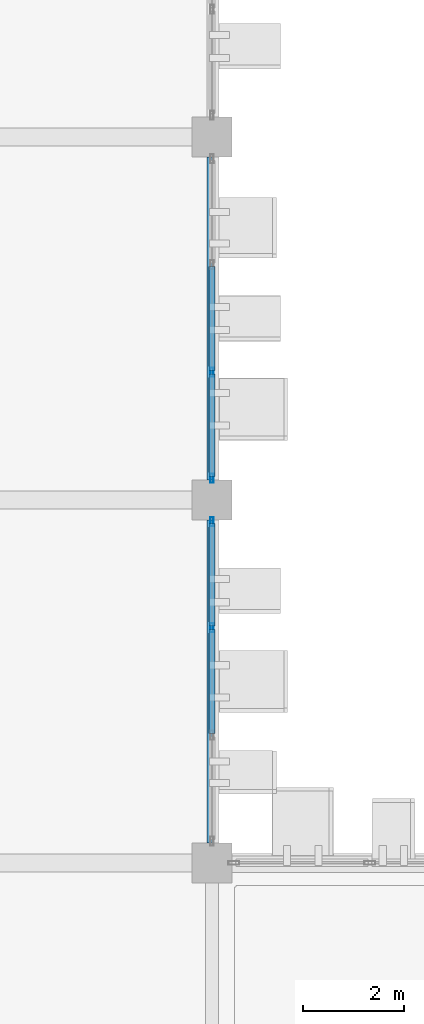
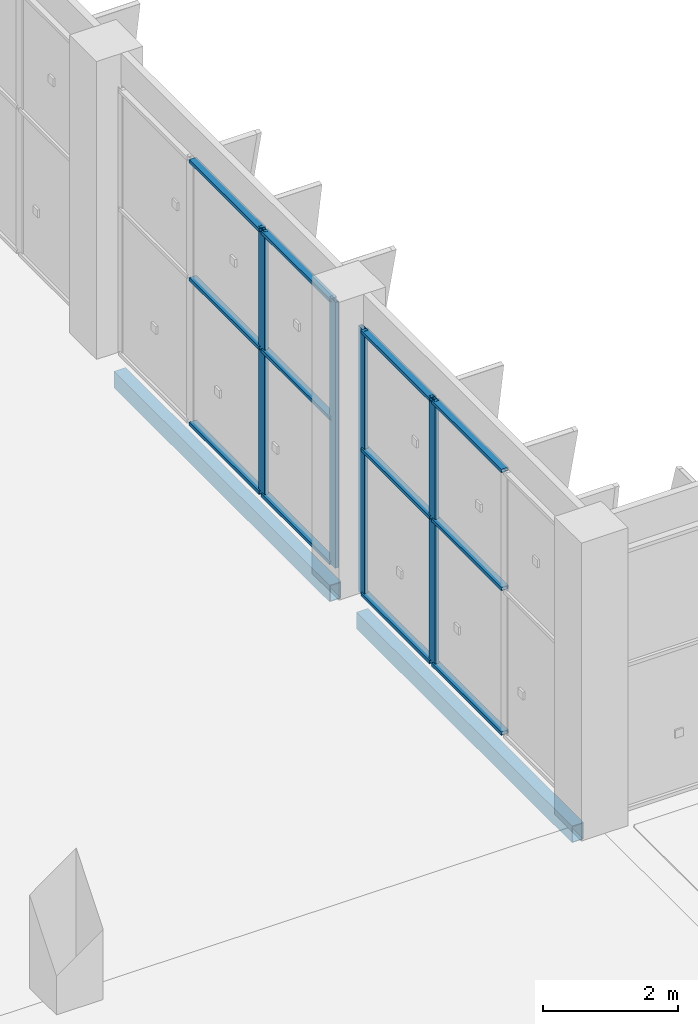
# One storey, part 39 of 137: 16 members, 2 beams, 2 elements without a shape of their own.
"""IFC4 building model written with IfcOpenShell, lengths in metres."""

from ifc_helpers import new_model, si_unit, direction, frame, origin, origin_2d, place, context, subcontext, project, spatial, hollow_rectangle, extrude, material, layer, layer_set, material_profile, profile_set, type_object, element, aggregate, save


model = new_model("IFC4")

# Units and contexts
model_context = context("Model", 3, precision=1e-05, world=origin(), true_north=direction((0.0, 1.0)))
body_context = subcontext(model_context, "Body", "Model", "MODEL_VIEW")
ifc_project = project(units=[si_unit("LENGTHUNIT", "METRE"), si_unit("AREAUNIT", "SQUARE_METRE"), si_unit("VOLUMEUNIT", "CUBIC_METRE"), si_unit("PLANEANGLEUNIT", "RADIAN"), si_unit("MASSUNIT", "GRAM", prefix="KILO")], contexts=[model_context])

# Site, building, storey
site_placement = place(None, origin())
site = spatial("IfcSite", under=ifc_project, at=site_placement, CompositionType="ELEMENT")
building_placement = place(site_placement, origin())
building = spatial("IfcBuilding", under=site, at=building_placement, Name="Celestram Park Convention Centre", CompositionType="ELEMENT")
storey_placement = place(building_placement, origin())
storey = spatial("IfcBuildingStorey", under=building, at=storey_placement, Name="L00", CompositionType="ELEMENT", Elevation=0.0)

# Curtain wall, members
ifc_material_1 = material(Name="Anodised Aluminium Alloy 6063-T6", Category="aluminium")
ifc_layer = layer(ifc_material_1, 0.179931640625)
ifc_layer_set = layer_set([ifc_layer], Name="Anodised Aluminium Alloy 6063-T6")
curtain_wall_type = type_object("IfcCurtainWallType", Name="ARC-CW-640X482", PredefinedType="NOTDEFINED", material=ifc_layer_set)
curtain_wall_1_placement = place(storey_placement, origin())
curtain_wall_1 = element("IfcCurtainWall", 1, at=curtain_wall_1_placement, inside=storey, type_object=curtain_wall_type, Name="Unitised curtain wall CU-L00-016", PredefinedType="NOTDEFINED")
ifc_material_profile_1 = material_profile(ifc_material_1, hollow_rectangle(XDim=0.06494140625, YDim=0.179931640625, WallThickness=0.00390625, at=origin_2d()), Name="ALU65X180X4")
ifc_profile_set_1 = profile_set([ifc_material_profile_1], Name="Anodised Aluminium Alloy 6063-T6")
member_type_1 = type_object("IfcMemberType", Name="ARC-CWM-150", PredefinedType="MULLION", material=ifc_profile_set_1)
member_1_placement = place(storey_placement, frame((144.0, 45.732666015625, 0.0), z_axis=(0.0, 0.0, 1.0), x_axis=(1.0, 0.0, 0.0)))
member_1 = element("IfcMember", 2, at=member_1_placement, type_object=member_type_1, Name="CW-64X48 mullion 3", PredefinedType="MULLION", context=body_context, shape_type="SweptSolid", body=[
    extrude(hollow_rectangle(XDim=0.06494140625, YDim=0.179931640625, WallThickness=0.00390625, at=origin_2d()), origin(), (0.0, 0.0, 1.0), 4.820068359375),
])
member_2_placement = place(storey_placement, frame((144.0, 43.630615234375, 0.0), z_axis=(0.0, 0.0, 1.0), x_axis=(1.0, 0.0, 0.0)))
member_2 = element("IfcMember", 3, at=member_2_placement, type_object=member_type_1, Name="CW-64X48 mullion 4", PredefinedType="MULLION", context=body_context, shape_type="SweptSolid", body=[
    extrude(hollow_rectangle(XDim=0.06494140625, YDim=0.179931640625, WallThickness=0.00390625, at=origin_2d()), origin(), (0.0, 0.0, 1.0), 4.820068359375),
])

curtain_wall_2_placement = place(storey_placement, origin())
curtain_wall_2 = element("IfcCurtainWall", 4, at=curtain_wall_2_placement, inside=storey, type_object=curtain_wall_type, Name="Unitised curtain wall CU-L00-017", PredefinedType="NOTDEFINED")
member_3_placement = place(storey_placement, frame((144.0, 42.76953125, 0.0), z_axis=(0.0, 0.0, 1.0), x_axis=(1.0, 0.0, 0.0)))
member_3 = element("IfcMember", 5, at=member_3_placement, type_object=member_type_1, Name="CW-64X48 mullion 1", PredefinedType="MULLION", context=body_context, shape_type="SweptSolid", body=[
    extrude(hollow_rectangle(XDim=0.06494140625, YDim=0.179931640625, WallThickness=0.00390625, at=origin_2d()), origin(), (0.0, 0.0, 1.0), 4.820068359375),
])
member_4_placement = place(storey_placement, frame((144.0, 40.667236328125, 0.0), z_axis=(0.0, 0.0, 1.0), x_axis=(1.0, 0.0, 0.0)))
member_4 = element("IfcMember", 6, at=member_4_placement, type_object=member_type_1, Name="CW-64X48 mullion 2", PredefinedType="MULLION", context=body_context, shape_type="SweptSolid", body=[
    extrude(hollow_rectangle(XDim=0.06494140625, YDim=0.179931640625, WallThickness=0.00390625, at=origin_2d()), origin(), (0.0, 0.0, 1.0), 4.820068359375),
])

# Member
ifc_material_profile_2 = material_profile(ifc_material_1, hollow_rectangle(XDim=0.1201171875, YDim=0.06005859375, WallThickness=0.0029296875, at=origin_2d()), Name="ALU120X60X3")
ifc_profile_set_2 = profile_set([ifc_material_profile_2], Name="Anodised Aluminium Alloy 6063-T6")
member_type_2 = type_object("IfcMemberType", Name="ARC-CWT-120", PredefinedType="USERDEFINED", material=ifc_profile_set_2)
member_5_placement = place(storey_placement, frame((144.0, 47.834716796875, 0.030029296875), z_axis=(0.0, -1.0, 0.0), x_axis=(1.0, 0.0, 0.0)))
member_5 = element("IfcMember", 7, at=member_5_placement, type_object=member_type_2, Name="CW-64X48 transom 2.1", ObjectType="TRANSOM", PredefinedType="USERDEFINED", context=body_context, shape_type="SweptSolid", body=[
    extrude(hollow_rectangle(XDim=0.1201171875, YDim=0.06005859375, WallThickness=0.0029296875, at=origin_2d()), origin(), (0.0, 0.0, 1.0), 2.069580078125),
])

member_6_placement = place(storey_placement, frame((144.0, 47.834716796875, 2.64990234375), z_axis=(0.0, -1.0, 0.0), x_axis=(1.0, 0.0, 0.0)))
member_6 = element("IfcMember", 8, at=member_6_placement, type_object=member_type_2, Name="CW-64X48 transom 2.2", ObjectType="TRANSOM", PredefinedType="USERDEFINED", context=body_context, shape_type="SweptSolid", body=[
    extrude(hollow_rectangle(XDim=0.1201171875, YDim=0.06005859375, WallThickness=0.0029296875, at=origin_2d()), origin(), (0.0, 0.0, 1.0), 2.069580078125),
])

member_7_placement = place(storey_placement, frame((144.0, 47.834716796875, 4.7900390625), z_axis=(0.0, -1.0, 0.0), x_axis=(1.0, 0.0, 0.0)))
member_7 = element("IfcMember", 9, at=member_7_placement, type_object=member_type_2, Name="CW-64X48 transom 2.3", ObjectType="TRANSOM", PredefinedType="USERDEFINED", context=body_context, shape_type="SweptSolid", body=[
    extrude(hollow_rectangle(XDim=0.1201171875, YDim=0.06005859375, WallThickness=0.0029296875, at=origin_2d()), origin(), (0.0, 0.0, 1.0), 2.069580078125),
])

member_8_placement = place(storey_placement, frame((144.0, 45.7001953125, 0.030029296875), z_axis=(0.0, -1.0, 0.0), x_axis=(1.0, 0.0, 0.0)))
member_8 = element("IfcMember", 10, at=member_8_placement, type_object=member_type_2, Name="CW-64X48 transom 3.1", ObjectType="TRANSOM", PredefinedType="USERDEFINED", context=body_context, shape_type="SweptSolid", body=[
    extrude(hollow_rectangle(XDim=0.1201171875, YDim=0.06005859375, WallThickness=0.0029296875, at=origin_2d()), origin(), (0.0, 0.0, 1.0), 2.037109375),
])

member_9_placement = place(storey_placement, frame((144.0, 45.7001953125, 2.64990234375), z_axis=(0.0, -1.0, 0.0), x_axis=(1.0, 0.0, 0.0)))
member_9 = element("IfcMember", 11, at=member_9_placement, type_object=member_type_2, Name="CW-64X48 transom 3.2", ObjectType="TRANSOM", PredefinedType="USERDEFINED", context=body_context, shape_type="SweptSolid", body=[
    extrude(hollow_rectangle(XDim=0.1201171875, YDim=0.06005859375, WallThickness=0.0029296875, at=origin_2d()), origin(), (0.0, 0.0, 1.0), 2.037109375),
])

member_10_placement = place(storey_placement, frame((144.0, 45.7001953125, 4.7900390625), z_axis=(0.0, -1.0, 0.0), x_axis=(1.0, 0.0, 0.0)))
member_10 = element("IfcMember", 12, at=member_10_placement, type_object=member_type_2, Name="CW-64X48 transom 3.3", ObjectType="TRANSOM", PredefinedType="USERDEFINED", context=body_context, shape_type="SweptSolid", body=[
    extrude(hollow_rectangle(XDim=0.1201171875, YDim=0.06005859375, WallThickness=0.0029296875, at=origin_2d()), origin(), (0.0, 0.0, 1.0), 2.037109375),
])

aggregate(curtain_wall_1, [member_1, member_2, member_5, member_6, member_7, member_8, member_9, member_10])

member_11_placement = place(storey_placement, frame((144.0, 42.737060546875, 0.030029296875), z_axis=(0.0, -1.0, 0.0), x_axis=(1.0, 0.0, 0.0)))
member_11 = element("IfcMember", 13, at=member_11_placement, type_object=member_type_2, Name="CW-64X48 transom 1.1", ObjectType="TRANSOM", PredefinedType="USERDEFINED", context=body_context, shape_type="SweptSolid", body=[
    extrude(hollow_rectangle(XDim=0.1201171875, YDim=0.06005859375, WallThickness=0.0029296875, at=origin_2d()), origin(), (0.0, 0.0, 1.0), 2.037109375),
])

member_12_placement = place(storey_placement, frame((144.0, 42.737060546875, 2.64990234375), z_axis=(0.0, -1.0, 0.0), x_axis=(1.0, 0.0, 0.0)))
member_12 = element("IfcMember", 14, at=member_12_placement, type_object=member_type_2, Name="CW-64X48 transom 1.2", ObjectType="TRANSOM", PredefinedType="USERDEFINED", context=body_context, shape_type="SweptSolid", body=[
    extrude(hollow_rectangle(XDim=0.1201171875, YDim=0.06005859375, WallThickness=0.0029296875, at=origin_2d()), origin(), (0.0, 0.0, 1.0), 2.037109375),
])

member_13_placement = place(storey_placement, frame((144.0, 42.737060546875, 4.7900390625), z_axis=(0.0, -1.0, 0.0), x_axis=(1.0, 0.0, 0.0)))
member_13 = element("IfcMember", 15, at=member_13_placement, type_object=member_type_2, Name="CW-64X48 transom 1.3", ObjectType="TRANSOM", PredefinedType="USERDEFINED", context=body_context, shape_type="SweptSolid", body=[
    extrude(hollow_rectangle(XDim=0.1201171875, YDim=0.06005859375, WallThickness=0.0029296875, at=origin_2d()), origin(), (0.0, 0.0, 1.0), 2.037109375),
])

member_14_placement = place(storey_placement, frame((144.0, 40.634765625, 0.030029296875), z_axis=(0.0, -1.0, 0.0), x_axis=(1.0, 0.0, 0.0)))
member_14 = element("IfcMember", 16, at=member_14_placement, type_object=member_type_2, Name="CW-64X48 transom 2.1", ObjectType="TRANSOM", PredefinedType="USERDEFINED", context=body_context, shape_type="SweptSolid", body=[
    extrude(hollow_rectangle(XDim=0.1201171875, YDim=0.06005859375, WallThickness=0.0029296875, at=origin_2d()), origin(), (0.0, 0.0, 1.0), 2.069580078125),
])

member_15_placement = place(storey_placement, frame((144.0, 40.634765625, 2.64990234375), z_axis=(0.0, -1.0, 0.0), x_axis=(1.0, 0.0, 0.0)))
member_15 = element("IfcMember", 17, at=member_15_placement, type_object=member_type_2, Name="CW-64X48 transom 2.2", ObjectType="TRANSOM", PredefinedType="USERDEFINED", context=body_context, shape_type="SweptSolid", body=[
    extrude(hollow_rectangle(XDim=0.1201171875, YDim=0.06005859375, WallThickness=0.0029296875, at=origin_2d()), origin(), (0.0, 0.0, 1.0), 2.069580078125),
])

member_16_placement = place(storey_placement, frame((144.0, 40.634765625, 4.7900390625), z_axis=(0.0, -1.0, 0.0), x_axis=(1.0, 0.0, 0.0)))
member_16 = element("IfcMember", 18, at=member_16_placement, type_object=member_type_2, Name="CW-64X48 transom 2.3", ObjectType="TRANSOM", PredefinedType="USERDEFINED", context=body_context, shape_type="SweptSolid", body=[
    extrude(hollow_rectangle(XDim=0.1201171875, YDim=0.06005859375, WallThickness=0.0029296875, at=origin_2d()), origin(), (0.0, 0.0, 1.0), 2.069580078125),
])

aggregate(curtain_wall_2, [member_3, member_4, member_11, member_12, member_13, member_14, member_15, member_16])

# Beams
ifc_material_2 = material(Name="Steel ASTM A500 Grade C", Category="steel")
ifc_material_profile_3 = material_profile(ifc_material_2, hollow_rectangle(XDim=0.199951171875, YDim=0.300048828125, WallThickness=0.011962890625, at=origin_2d()), Name="HSS300X200X12")
ifc_profile_set_3 = profile_set([ifc_material_profile_3], Name="Steel ASTM A500 Grade C")
beam_type = type_object("IfcBeamType", Name="STR-SPN-HSS300X200", PredefinedType="SPANDREL", material=ifc_profile_set_3)
for number, where, z_axis, x_axis, name in (
    (19, (144.0, 36.39794921875, -0.469970703125), (0.0, 1.0, 0.0), (-1.0, 0.0, 0.0), "Primary Y-girder BG-L00-0670"),
    (20, (144.0, 43.597900390625, -0.469970703125), (0.0, 1.0, 0.0), (-1.0, 0.0, 0.0), "Primary Y-girder BG-L00-0671"),
):
    element("IfcBeam", number, at=place(storey_placement, frame(where, z_axis=z_axis, x_axis=x_axis)), inside=storey, type_object=beam_type, Name=name, PredefinedType="SPANDREL", context=body_context, shape_type="SweptSolid", body=[
        extrude(hollow_rectangle(XDim=0.199951171875, YDim=0.300048828125, WallThickness=0.011962890625, at=origin_2d()), origin(), (0.0, 0.0, 1.0), 6.404052734375),
    ])

save(model, "model.ifc")
